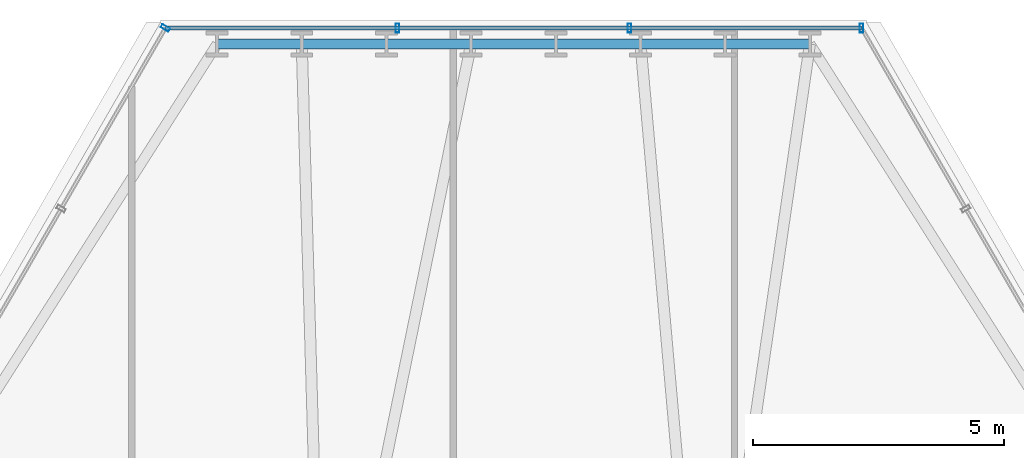
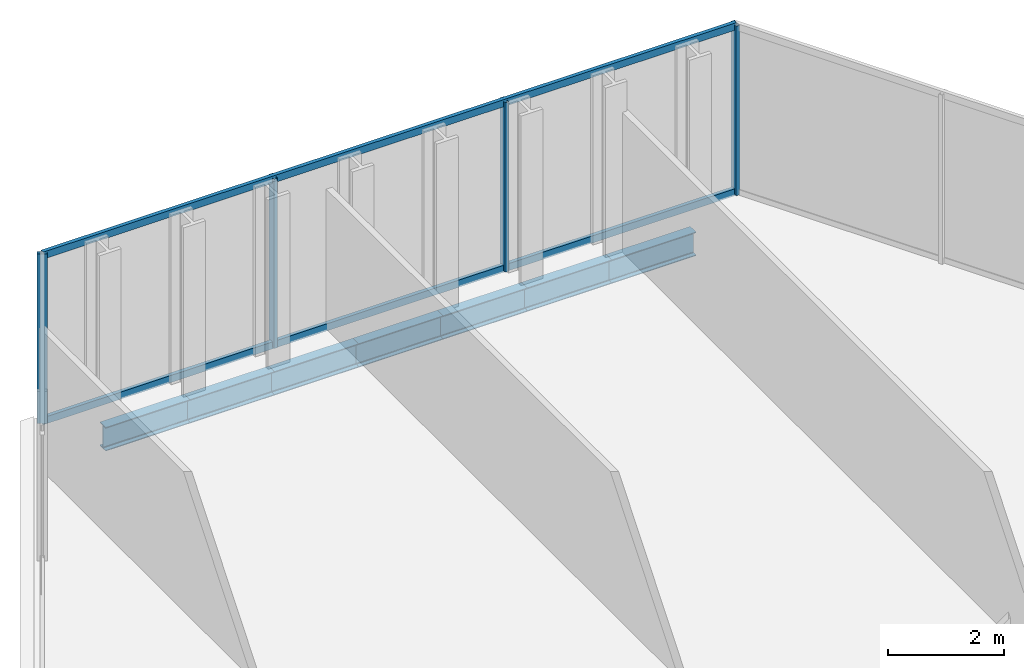
# One storey, part 24 of 32: 7 beams, 6 members, 2 elements without a shape of their own.
"""IFC4 building model written with IfcOpenShell, lengths in metres."""

from ifc_helpers import new_model, si_unit, direction, frame, origin, origin_2d, place, context, subcontext, project, spatial, hollow_rectangle, i_section, extrude, material, layer, layer_set, material_profile, profile_set, type_object, element, aggregate, save


model = new_model("IFC4")

# Units and contexts
model_context = context("Model", 3, precision=1e-05, world=origin(), true_north=direction((0.0, 1.0)))
body_context = subcontext(model_context, "Body", "Model", "MODEL_VIEW")
ifc_project = project(units=[si_unit("LENGTHUNIT", "METRE"), si_unit("AREAUNIT", "SQUARE_METRE"), si_unit("VOLUMEUNIT", "CUBIC_METRE"), si_unit("PLANEANGLEUNIT", "RADIAN"), si_unit("MASSUNIT", "GRAM", prefix="KILO")], contexts=[model_context])

# Site, building, storey
site_placement = place(None, origin())
site = spatial("IfcSite", under=ifc_project, at=site_placement, CompositionType="ELEMENT")
building_placement = place(site_placement, origin())
building = spatial("IfcBuilding", under=site, at=building_placement, Name="Ndaravel Arena Tower", CompositionType="ELEMENT")
storey_placement = place(building_placement, frame((0.0, 0.0, 93.0)))
storey = spatial("IfcBuildingStorey", under=building, at=storey_placement, Name="L21", CompositionType="ELEMENT", Elevation=93.0)

# Beams
ifc_material_1 = material(Name="Steel S355", Category="steel")
ifc_material_profile_1 = material_profile(ifc_material_1, i_section(OverallWidth=0.199951171875, OverallDepth=0.5, WebThickness=0.01025390625, FlangeThickness=0.01611328125, FilletRadius=0.02099609375, at=origin_2d()), Name="IPE 500")
ifc_profile_set_1 = profile_set([ifc_material_profile_1], Name="Steel S355")
beam_type = type_object("IfcBeamType", Name="BM-SPAN-IPE500", PredefinedType="SPANDREL", material=ifc_profile_set_1)
beam_1_placement = place(storey_placement, frame((47.90087890625, 45.614013671875, -0.469970703125), z_axis=(-1.0, 0.0, 0.0), x_axis=(0.0, -1.0, 0.0)))
element("IfcBeam", 1, at=beam_1_placement, inside=storey, type_object=beam_type, Name="L21 Perimeter Spandrel Beam SP-11", PredefinedType="SPANDREL", context=body_context, shape_type="SweptSolid", body=[
    extrude(i_section(OverallWidth=0.199951171875, OverallDepth=0.5, WebThickness=0.01025390625, FlangeThickness=0.01611328125, FilletRadius=0.02099609375, at=origin_2d()), origin(), (0.0, 0.0, 1.0), 1.68603515625),
])
beam_2_placement = place(storey_placement, frame((46.21484375, 45.614013671875, -0.469970703125), z_axis=(-1.0, 0.0, 0.0), x_axis=(0.0, -1.0, 0.0)))
element("IfcBeam", 2, at=beam_2_placement, inside=storey, type_object=beam_type, Name="L21 Perimeter Spandrel Beam SP-12", PredefinedType="SPANDREL", context=body_context, shape_type="SweptSolid", body=[
    extrude(i_section(OverallWidth=0.199951171875, OverallDepth=0.5, WebThickness=0.01025390625, FlangeThickness=0.01611328125, FilletRadius=0.02099609375, at=origin_2d()), origin(), (0.0, 0.0, 1.0), 1.685791015625),
])
for number, where, z_axis, x_axis, name in (
    (3, (44.529052734375, 45.614013671875, -0.469970703125), (-1.0, 0.0, 0.0), (0.0, -1.0, 0.0), "L21 Perimeter Spandrel Beam SP-13"),
    (4, (42.843017578125, 45.614013671875, -0.469970703125), (-1.0, 0.0, 0.0), (0.0, -1.0, 0.0), "L21 Perimeter Spandrel Beam SP-14"),
    (5, (41.156982421875, 45.614013671875, -0.469970703125), (-1.0, 0.0, 0.0), (0.0, -1.0, 0.0), "L21 Perimeter Spandrel Beam SP-15"),
):
    element("IfcBeam", number, at=place(storey_placement, frame(where, z_axis=z_axis, x_axis=x_axis)), inside=storey, type_object=beam_type, Name=name, PredefinedType="SPANDREL", context=body_context, shape_type="SweptSolid", body=[
        extrude(i_section(OverallWidth=0.199951171875, OverallDepth=0.5, WebThickness=0.01025390625, FlangeThickness=0.01611328125, FilletRadius=0.02099609375, at=origin_2d()), origin(), (0.0, 0.0, 1.0), 1.68603515625),
    ])
beam_3_placement = place(storey_placement, frame((39.470947265625, 45.614013671875, -0.469970703125), z_axis=(-1.0, 0.0, 0.0), x_axis=(0.0, -1.0, 0.0)))
element("IfcBeam", 6, at=beam_3_placement, inside=storey, type_object=beam_type, Name="L21 Perimeter Spandrel Beam SP-16", PredefinedType="SPANDREL", context=body_context, shape_type="SweptSolid", body=[
    extrude(i_section(OverallWidth=0.199951171875, OverallDepth=0.5, WebThickness=0.01025390625, FlangeThickness=0.01611328125, FilletRadius=0.02099609375, at=origin_2d()), origin(), (0.0, 0.0, 1.0), 1.685791015625),
])
beam_4_placement = place(storey_placement, frame((37.78515625, 45.614013671875, -0.469970703125), z_axis=(-1.0, 0.0, 0.0), x_axis=(0.0, -1.0, 0.0)))
element("IfcBeam", 7, at=beam_4_placement, inside=storey, type_object=beam_type, Name="L21 Perimeter Spandrel Beam SP-17", PredefinedType="SPANDREL", context=body_context, shape_type="SweptSolid", body=[
    extrude(i_section(OverallWidth=0.199951171875, OverallDepth=0.5, WebThickness=0.01025390625, FlangeThickness=0.01611328125, FilletRadius=0.02099609375, at=origin_2d()), origin(), (0.0, 0.0, 1.0), 1.68603515625),
])

# Curtain wall, members
ifc_material_2 = material(Name="Aluminium", Category="aluminium")
ifc_layer_1 = layer(ifc_material_2, 0.179931640625)
ifc_layer_set_1 = layer_set([ifc_layer_1], Name="Aluminium")
curtain_wall_type_1 = type_object("IfcCurtainWallType", Name="CW-SYS-01", PredefinedType="NOTDEFINED", material=ifc_layer_set_1)
curtain_wall_1_placement = place(storey_placement, origin())
curtain_wall_1 = element("IfcCurtainWall", 8, at=curtain_wall_1_placement, inside=storey, type_object=curtain_wall_type_1, Name="L21 Faceted Crystal Curtain Wall CW-L21-E04", PredefinedType="NOTDEFINED")
ifc_material_3 = material(Name="Aluminium", Category="aluminium")
ifc_material_profile_2 = material_profile(ifc_material_3, hollow_rectangle(XDim=0.074951171875, YDim=0.179931640625, WallThickness=0.00390625, at=origin_2d()), Name="CW MULLION 75x180x4")
ifc_profile_set_2 = profile_set([ifc_material_profile_2], Name="Aluminium")
member_type_1 = type_object("IfcMemberType", Name="MEM-CW-MUL180", PredefinedType="MULLION", material=ifc_profile_set_2)
member_1_placement = place(storey_placement, frame((48.9287109375, 45.93408203125, 0.0), z_axis=(0.0, 0.0, 1.0), x_axis=(-1.0, 0.0, 0.0)))
member_1 = element("IfcMember", 9, at=member_1_placement, type_object=member_type_1, Name="CW-L21-E04 Mullion 00", PredefinedType="MULLION", context=body_context, shape_type="SweptSolid", body=[
    extrude(hollow_rectangle(XDim=0.074951171875, YDim=0.179931640625, WallThickness=0.00390625, at=origin_2d()), origin(), (0.0, 0.0, 1.0), 3.580078125),
])
member_2_placement = place(storey_placement, frame((44.3095703125, 45.93408203125, 0.0), z_axis=(0.0, 0.0, 1.0), x_axis=(-1.0, 0.0, 0.0)))
member_2 = element("IfcMember", 10, at=member_2_placement, type_object=member_type_1, Name="CW-L21-E04 Mullion 01", PredefinedType="MULLION", context=body_context, shape_type="SweptSolid", body=[
    extrude(hollow_rectangle(XDim=0.074951171875, YDim=0.179931640625, WallThickness=0.00390625, at=origin_2d()), origin(), (0.0, 0.0, 1.0), 3.580078125),
])
member_3_placement = place(storey_placement, frame((39.6904296875, 45.93408203125, 0.0), z_axis=(0.0, 0.0, 1.0), x_axis=(-1.0, 0.0, 0.0)))
member_3 = element("IfcMember", 11, at=member_3_placement, type_object=member_type_1, Name="CW-L21-E04 Mullion 02", PredefinedType="MULLION", context=body_context, shape_type="SweptSolid", body=[
    extrude(hollow_rectangle(XDim=0.074951171875, YDim=0.179931640625, WallThickness=0.00390625, at=origin_2d()), origin(), (0.0, 0.0, 1.0), 3.580078125),
])

# Curtain wall, member
ifc_material_4 = material(Name="Aluminium", Category="aluminium")
ifc_layer_2 = layer(ifc_material_4, 0.179931640625)
ifc_layer_set_2 = layer_set([ifc_layer_2], Name="Aluminium")
curtain_wall_type_2 = type_object("IfcCurtainWallType", Name="CW-SYS-03", PredefinedType="NOTDEFINED", material=ifc_layer_set_2)
curtain_wall_2_placement = place(storey_placement, origin())
curtain_wall_2 = element("IfcCurtainWall", 12, at=curtain_wall_2_placement, inside=storey, type_object=curtain_wall_type_2, Name="L21 Faceted Crystal Curtain Wall CW-L21-E05", PredefinedType="NOTDEFINED")
member_4_placement = place(storey_placement, frame((35.0712890625, 45.93408203125, 0.0), z_axis=(0.0, 0.0, 1.0), x_axis=(-0.5, -0.866025403784, 0.0)))
member_4 = element("IfcMember", 13, at=member_4_placement, type_object=member_type_1, Name="CW-L21-E05 Mullion 00", PredefinedType="MULLION", context=body_context, shape_type="SweptSolid", body=[
    extrude(hollow_rectangle(XDim=0.074951171875, YDim=0.179931640625, WallThickness=0.00390625, at=origin_2d()), origin(), (0.0, 0.0, 1.0), 3.580078125),
])
aggregate(curtain_wall_2, [member_4])

# Member
ifc_material_5 = material(Name="Aluminium", Category="aluminium")
ifc_material_profile_3 = material_profile(ifc_material_5, hollow_rectangle(XDim=0.074951171875, YDim=0.14990234375, WallThickness=0.00390625, at=origin_2d()), Name="CW TRANSOM 75x150x4")
ifc_profile_set_3 = profile_set([ifc_material_profile_3], Name="Aluminium")
member_type_2 = type_object("IfcMemberType", Name="MEM-CW-TRN150", PredefinedType="USERDEFINED", material=ifc_profile_set_3)
member_5_placement = place(storey_placement, frame((48.9287109375, 45.93408203125, 0.0400390625), z_axis=(-1.0, 0.0, 0.0), x_axis=(0.0, -1.0, 0.0)))
member_5 = element("IfcMember", 14, at=member_5_placement, type_object=member_type_2, Name="CW-L21-E04 Transom 01", ObjectType="TRANSOM", PredefinedType="USERDEFINED", context=body_context, shape_type="SweptSolid", body=[
    extrude(hollow_rectangle(XDim=0.074951171875, YDim=0.14990234375, WallThickness=0.00390625, at=origin_2d()), origin(), (0.0, 0.0, 1.0), 13.857421875),
])

member_6_placement = place(storey_placement, frame((48.9287109375, 45.93408203125, 3.5400390625), z_axis=(-1.0, 0.0, 0.0), x_axis=(0.0, -1.0, 0.0)))
member_6 = element("IfcMember", 15, at=member_6_placement, type_object=member_type_2, Name="CW-L21-E04 Transom 02", ObjectType="TRANSOM", PredefinedType="USERDEFINED", context=body_context, shape_type="SweptSolid", body=[
    extrude(hollow_rectangle(XDim=0.074951171875, YDim=0.14990234375, WallThickness=0.00390625, at=origin_2d()), origin(), (0.0, 0.0, 1.0), 13.857421875),
])

aggregate(curtain_wall_1, [member_1, member_2, member_3, member_5, member_6])

save(model, "model.ifc")
